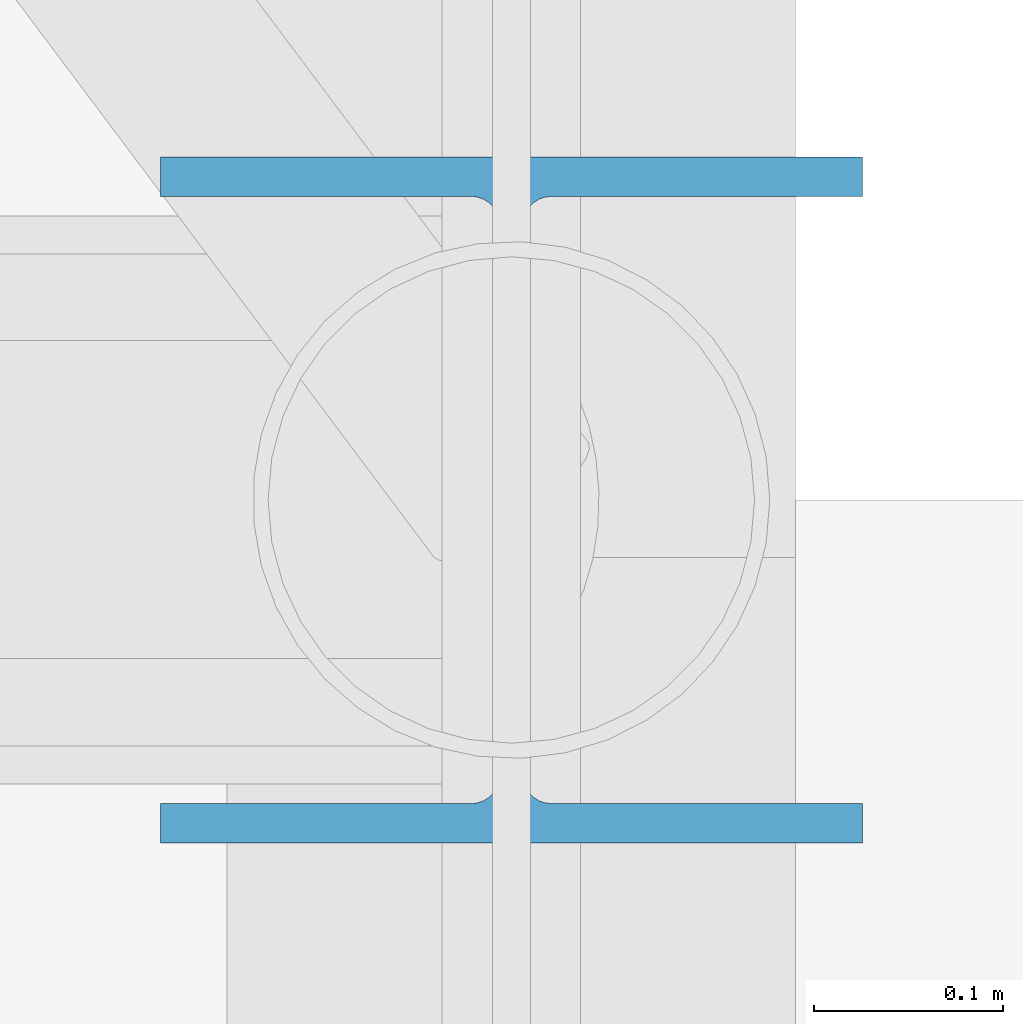
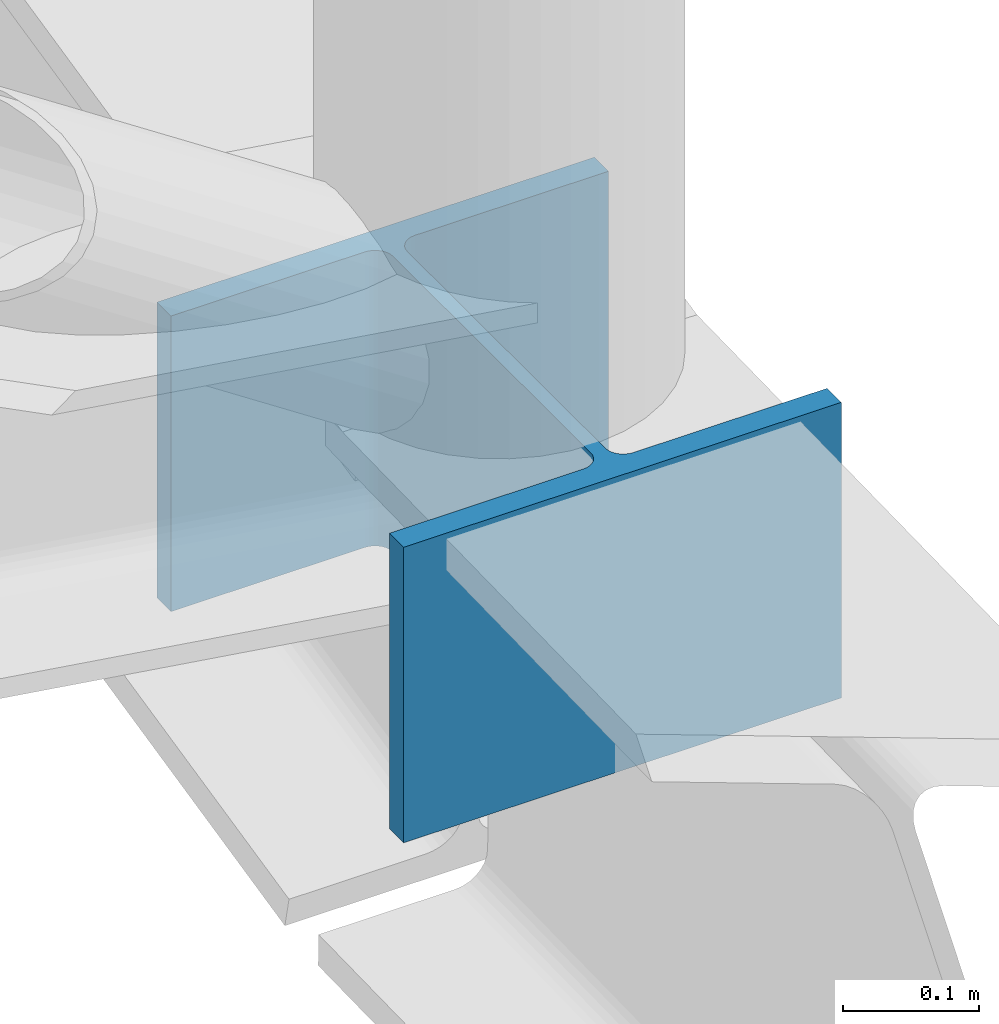
# One storey, part 16 of 262: 1 column.
"""IFC4 building model written with IfcOpenShell, lengths in metres."""

from ifc_helpers import new_model, si_unit, derived_unit, direction, frame, origin, origin_2d, place, context, subcontext, project, spatial, i_section, extrude, material, material_profile, profile_set, type_object, element, save


model = new_model("IFC4")

# Units and contexts
model_context = context("Model", 3, precision=1e-05, world=origin(), true_north=direction((0.0, 1.0)))
body_context = subcontext(model_context, "Body", "Model", "MODEL_VIEW")
ifc_project = project(units=[si_unit("LENGTHUNIT", "METRE"), si_unit("AREAUNIT", "SQUARE_METRE"), si_unit("VOLUMEUNIT", "CUBIC_METRE"), si_unit("PLANEANGLEUNIT", "RADIAN"), si_unit("MASSUNIT", "GRAM", prefix="KILO"), derived_unit("THERMALTRANSMITTANCEUNIT", [(si_unit("POWERUNIT", "WATT"), 1), (si_unit("LENGTHUNIT", "METRE"), -2), (si_unit("THERMODYNAMICTEMPERATUREUNIT", "KELVIN"), -1)])], contexts=[model_context])

# Site, building, storey
site_placement = place(None, origin())
site = spatial("IfcSite", under=ifc_project, at=site_placement, CompositionType="ELEMENT")
building_placement = place(site_placement, origin())
building = spatial("IfcBuilding", under=site, at=building_placement, Name="Almenara Railside Exhibition Hall", CompositionType="ELEMENT")
storey_placement = place(building_placement, frame((0.0, 0.0, 21.699951171875)))
storey = spatial("IfcBuildingStorey", under=building, at=storey_placement, Name="RF", CompositionType="ELEMENT", Elevation=21.699951171875)

# Column
ifc_material = material(Name="Structural steel S355JR", Category="steel")
ifc_material_profile = material_profile(ifc_material, i_section(OverallWidth=0.37060546875, OverallDepth=0.362060546875, WebThickness=0.01220703125, FlangeThickness=0.020751953125, FilletRadius=0.01513671875, at=origin_2d()), Name="UC 356x368x153")
ifc_profile_set = profile_set([ifc_material_profile], Name="Structural steel S355JR")
column_type = type_object("IfcColumnType", Name="Steel Column UC 356x368x153 S355JR", PredefinedType="COLUMN", material=ifc_profile_set)
column_placement = place(storey_placement, frame((66.0, 108.0, -2.39990234375), z_axis=(0.0, 0.0, 1.0), x_axis=(1.0, 0.0, 0.0)))
element("IfcColumn", 1, at=column_placement, inside=storey, type_object=column_type, Name="V1 scroll portal column 6", PredefinedType="COLUMN", context=body_context, shape_type="SweptSolid", body=[
    extrude(i_section(OverallWidth=0.37060546875, OverallDepth=0.362060546875, WebThickness=0.01220703125, FlangeThickness=0.020751953125, FilletRadius=0.01513671875, at=origin_2d()), origin(), (0.0, 0.0, 1.0), 0.2646484375),
])

save(model, "model.ifc")
